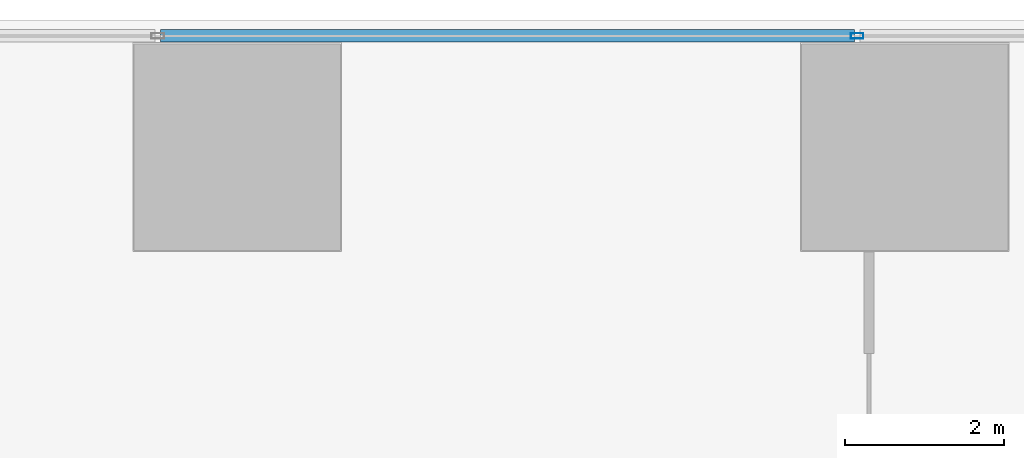
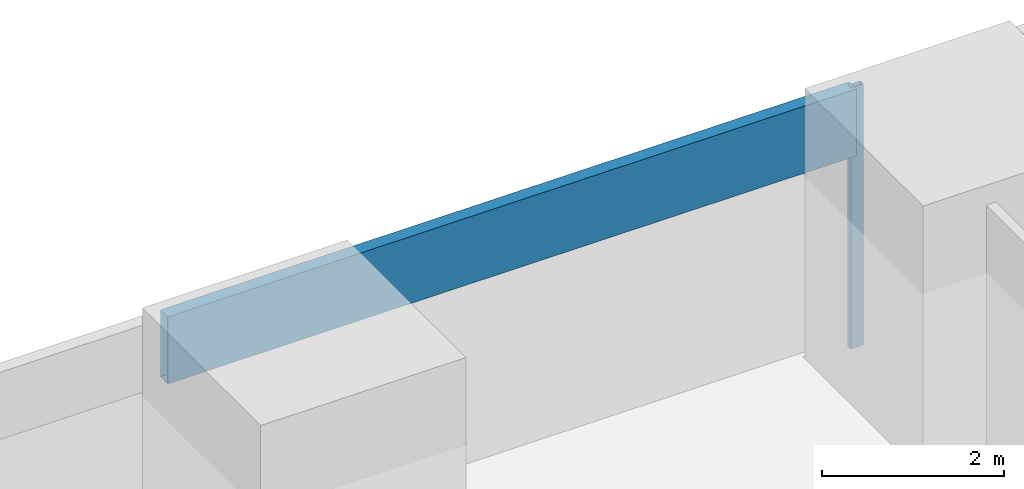
# One storey, part 9 of 35: 2 members, 1 element without a shape of its own.
"""IFC4 building model written with IfcOpenShell, lengths in metres."""

from ifc_helpers import new_model, si_unit, direction, frame, origin, origin_2d, place, context, subcontext, project, spatial, hollow_rectangle, extrude, material, material_profile, profile_set, type_object, element, aggregate, save


model = new_model("IFC4")

# Units and contexts
model_context = context("Model", 3, precision=1e-05, world=origin(), true_north=direction((0.0, 1.0)))
body_context = subcontext(model_context, "Body", "Model", "MODEL_VIEW")
ifc_project = project(units=[si_unit("LENGTHUNIT", "METRE"), si_unit("AREAUNIT", "SQUARE_METRE"), si_unit("VOLUMEUNIT", "CUBIC_METRE"), si_unit("PLANEANGLEUNIT", "RADIAN"), si_unit("MASSUNIT", "GRAM", prefix="KILO")], contexts=[model_context])

# Site, building, storey
site_placement = place(None, origin())
site = spatial("IfcSite", under=ifc_project, at=site_placement, CompositionType="ELEMENT")
building_placement = place(site_placement, origin())
building = spatial("IfcBuilding", under=site, at=building_placement, Name="Rekha Terrace Tower", CompositionType="ELEMENT")
storey_placement = place(building_placement, frame((0.0, 0.0, 25.39990234375)))
storey = spatial("IfcBuildingStorey", under=building, at=storey_placement, Name="L05", CompositionType="ELEMENT", Elevation=25.39990234375)

# Curtain wall, members
ifc_material_1 = material(Name="Aluminium framing", Category="aluminium")
curtain_wall_type = type_object("IfcCurtainWallType", Name="CW3 north unitised glazing", PredefinedType="USERDEFINED", material=ifc_material_1)
curtain_wall_placement = place(storey_placement, origin())
curtain_wall = element("IfcCurtainWall", 1, at=curtain_wall_placement, inside=storey, type_object=curtain_wall_type, Name="CW3 unitised curtain wall", ObjectType="UNITISED CURTAIN WALL", PredefinedType="USERDEFINED")
ifc_material_2 = material(Name="Aluminium mullion section", Category="aluminium")
ifc_material_profile_1 = material_profile(ifc_material_2, hollow_rectangle(XDim=0.070068359375, YDim=0.159912109375, WallThickness=0.00390625, at=origin_2d()), Name="AL RHS 70x160")
ifc_profile_set_1 = profile_set([ifc_material_profile_1], Name="Aluminium mullion section")
member_type_1 = type_object("IfcMemberType", Name="CW3 mullion RHS 70 x 160", PredefinedType="MULLION", material=ifc_profile_set_1)
member_1_placement = place(storey_placement, frame((24.60009765625, 60.199951171875, 0.0), z_axis=(0.0, 0.0, 1.0), x_axis=(0.0, -1.0, 0.0)))
member_1 = element("IfcMember", 2, at=member_1_placement, type_object=member_type_1, Name="CW3 mullion 6", PredefinedType="MULLION", context=body_context, shape_type="SweptSolid", body=[
    extrude(hollow_rectangle(XDim=0.070068359375, YDim=0.159912109375, WallThickness=0.00390625, at=origin_2d()), origin(), (0.0, 0.0, 1.0), 3.5),
])
ifc_material_3 = material(Name="Insulated aluminium spandrel box", Category="aluminium")
ifc_material_profile_2 = material_profile(ifc_material_3, hollow_rectangle(XDim=0.159912109375, YDim=0.89990234375, WallThickness=0.0029296875, at=origin_2d()), Name="AL SPANDREL BOX 160x900")
ifc_profile_set_2 = profile_set([ifc_material_profile_2], Name="Insulated aluminium spandrel box")
member_type_2 = type_object("IfcMemberType", Name="CW3 spandrel transom 160 x 900", PredefinedType="USERDEFINED", material=ifc_profile_set_2)
member_2_placement = place(storey_placement, frame((24.56494140625, 60.199951171875, 3.050048828125), z_axis=(-1.0, 0.0, 0.0), x_axis=(0.0, -1.0, 0.0)))
member_2 = element("IfcMember", 3, at=member_2_placement, type_object=member_type_2, Name="CW3 spandrel transom 6", ObjectType="TRANSOM", PredefinedType="USERDEFINED", context=body_context, shape_type="SweptSolid", body=[
    extrude(hollow_rectangle(XDim=0.159912109375, YDim=0.89990234375, WallThickness=0.0029296875, at=origin_2d()), origin(), (0.0, 0.0, 1.0), 8.72998046875),
])
aggregate(curtain_wall, [member_1, member_2])

save(model, "model.ifc")
